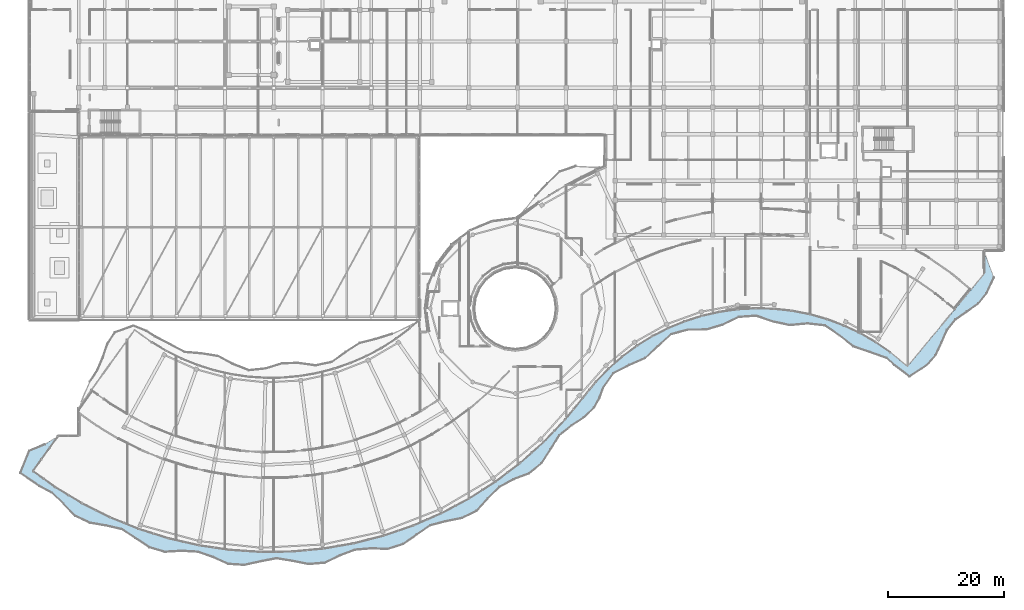
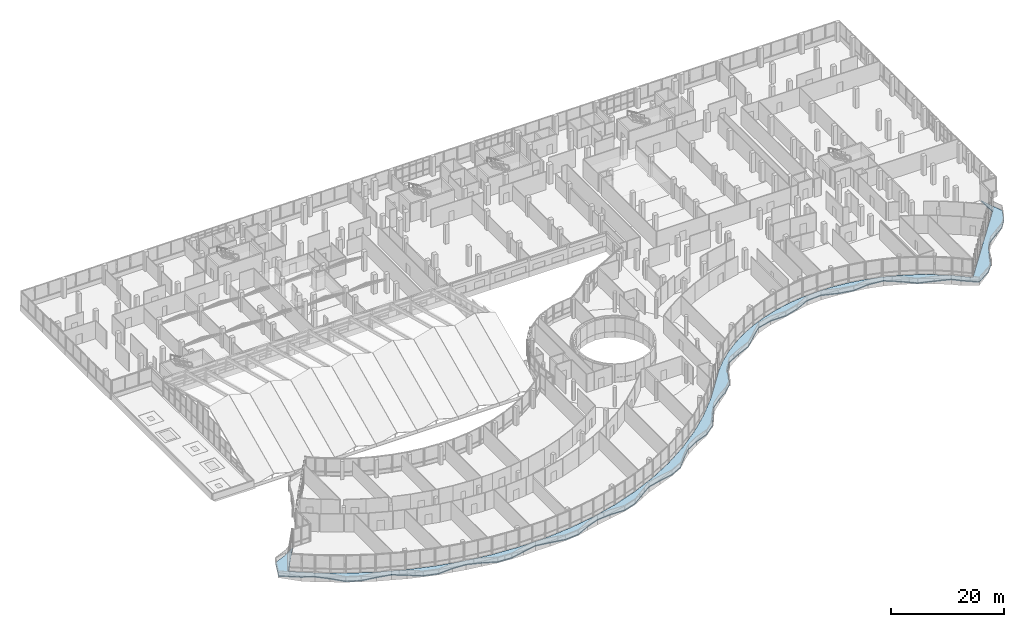
# One storey, part 146 of 184: 1 slab.
"""IFC4 building model written with IfcOpenShell, lengths in metres."""

import ifcopenshell
import ifcopenshell.guid

model = None  # the IFC model being written
_history = None  # IfcOwnerHistory: only IFC2X3 demands one
_inside = {}  # id of a spatial element -> (the spatial element, [elements in it])
_under = {}  # id of a project, library or spatial element -> (it, [spatial elements below it])
_declared = {}  # id of a project -> (the project, [libraries it declares])
_typed = {}  # id of a type object -> (the type object, [elements of that type])
_made_of = {}  # id of a material, layer set ... -> (it, [elements and type objects made of it])


def new_model(schema):
    """Start an empty IFC model of exactly this schema.

    Asked for "IFC4X3", IfcOpenShell would pick the latest addendum, in which some entities
    have other attributes; the version numbers below select the first issue.
    IFC2X3 requires an IfcOwnerHistory on every rooted entity: one is made here for all.
    """
    global model, _history
    if schema == "IFC4X3":
        model = ifcopenshell.file(schema_version=(4, 3, 0, 0))
    else:
        model = ifcopenshell.file(schema=schema)
    _inside.clear()
    _under.clear()
    _declared.clear()
    _typed.clear()
    _made_of.clear()
    _history = None
    if model.schema == "IFC2X3":
        org = make("IfcOrganization", Name="unknown")
        user = make(
            "IfcPersonAndOrganization",
            ThePerson=make("IfcPerson", FamilyName="unknown"),
            TheOrganization=org,
        )
        app = make(
            "IfcApplication",
            ApplicationDeveloper=org,
            Version="unknown",
            ApplicationFullName="unknown",
            ApplicationIdentifier="unknown",
        )
        _history = make(
            "IfcOwnerHistory",
            OwningUser=user,
            OwningApplication=app,
            ChangeAction="ADDED",
            CreationDate=0,
        )
    return model


def make(cls, **values):
    """One entity of the class cls with the attributes given. An attribute that is None is left unset."""
    return model.create_entity(
        cls, **{name: value for name, value in values.items() if value is not None}
    )


def rooted(cls, **values):
    """An entity with a GlobalId (a new one), such as an element, a storey or a relation."""
    return make(cls, GlobalId=ifcopenshell.guid.new(), OwnerHistory=_history, **values)


def si_unit(unit_type, name, prefix=None):
    """IfcSIUnit, for example si_unit("LENGTHUNIT", "METRE", prefix="MILLI")."""
    return make("IfcSIUnit", UnitType=unit_type, Prefix=prefix, Name=name)


def assignment(units):
    """IfcUnitAssignment: the units of a project."""
    return None if units is None else make("IfcUnitAssignment", Units=units)


def point(xyz):
    """IfcCartesianPoint."""
    return None if xyz is None else make("IfcCartesianPoint", Coordinates=xyz)


def direction(xyz):
    """IfcDirection."""
    return None if xyz is None else make("IfcDirection", DirectionRatios=xyz)


def frame(location, z_axis=None, x_axis=None):
    """IfcAxis2Placement3D, a coordinate frame: its origin and axes. An axis left out is left unset."""
    return make(
        "IfcAxis2Placement3D",
        Location=point(location),
        Axis=direction(z_axis),
        RefDirection=direction(x_axis),
    )


def origin():
    """The frame at (0, 0, 0) with its axes left unset."""
    return frame((0.0, 0.0, 0.0))


def place(relative_to, where):
    """IfcLocalPlacement: puts the frame where relative to a parent placement (None: the world)."""
    return make(
        "IfcLocalPlacement", PlacementRelTo=relative_to, RelativePlacement=where
    )


def context(
    kind, dimensions, precision=None, world=None, true_north=None, identifier=None
):
    """IfcGeometricRepresentationContext, for example the 3D "Model" context."""
    return make(
        "IfcGeometricRepresentationContext",
        ContextIdentifier=identifier,
        ContextType=kind,
        CoordinateSpaceDimension=dimensions,
        Precision=precision,
        WorldCoordinateSystem=world,
        TrueNorth=true_north,
    )


def subcontext(parent, identifier, kind, view, scale=None):
    """IfcGeometricRepresentationSubContext, for example "Body" below "Model"."""
    return make(
        "IfcGeometricRepresentationSubContext",
        ContextIdentifier=identifier,
        ContextType=kind,
        ParentContext=parent,
        TargetScale=scale,
        TargetView=view,
    )


def project(units=None, contexts=None):
    """IfcProject with its units and contexts."""
    return rooted(
        "IfcProject",
        Name="project",
        RepresentationContexts=contexts,
        UnitsInContext=assignment(units),
    )


def spatial(cls, under=None, at=None, **own):
    """A site, building, storey or space (cls), placed at a placement, below another one or the project."""
    s = rooted(cls, ObjectPlacement=at, **own)
    if under is not None:
        _under.setdefault(under.id(), (under, []))[1].append(s)
    return s


def polyline(points):
    """IfcPolyline through the points."""
    return make("IfcPolyline", Points=[point(p) for p in points])


def outline(outer, holes=None, kind="AREA"):
    """IfcArbitraryClosedProfileDef: a profile drawn as a closed curve; with holes, ...WithVoids."""
    if holes is None:
        return make("IfcArbitraryClosedProfileDef", ProfileType=kind, OuterCurve=outer)
    return make(
        "IfcArbitraryProfileDefWithVoids",
        ProfileType=kind,
        OuterCurve=outer,
        InnerCurves=holes,
    )


def extrude(swept, where, along, depth):
    """IfcExtrudedAreaSolid: the profile swept, set in the frame where, extruded along a direction by depth."""
    return make(
        "IfcExtrudedAreaSolid",
        SweptArea=swept,
        Position=where,
        ExtrudedDirection=direction(along),
        Depth=depth,
    )


def shape(context_of_items, identifier, shape_type, items):
    """IfcShapeRepresentation: the items that make up one representation, for example the "Body"."""
    return make(
        "IfcShapeRepresentation",
        ContextOfItems=context_of_items,
        RepresentationIdentifier=identifier,
        RepresentationType=shape_type,
        Items=items,
    )


def material(Name=None, Category=None):
    """IfcMaterial."""
    return make("IfcMaterial", Name=Name, Category=Category)


def layer(
    of_material, thickness, ventilated=None, Name=None, Category=None, Priority=None
):
    """IfcMaterialLayer: one layer of a wall or slab, of a material (None: an air gap)."""
    return make(
        "IfcMaterialLayer",
        Material=of_material,
        LayerThickness=thickness,
        IsVentilated=ventilated,
        Name=Name,
        Category=Category,
        Priority=Priority,
    )


def layer_set(layers, Name=None):
    """IfcMaterialLayerSet."""
    return make("IfcMaterialLayerSet", MaterialLayers=layers, LayerSetName=Name)


def made_of(thing, what):
    """Note that an element or type object is made of a material, layer set ...; save() writes the relation."""
    if what is not None:
        _made_of.setdefault(what.id(), (what, []))[1].append(thing)
    return thing


def type_object(cls, material=None, **own):
    """A type object (cls), such as IfcWallType, which elements share."""
    return made_of(rooted(cls, **own), material)


def element(
    cls,
    number,
    at=None,
    inside=None,
    cuts=None,
    type_object=None,
    material=None,
    context=None,
    identifier="Body",
    shape_type=None,
    held_by="IfcProductDefinitionShape",
    body=None,
    shapes=None,
    **own,
):
    """One element of the class cls, such as IfcWall. Its Tag is "e" and its number.

    at: its placement. inside: the storey or other place that contains it. cuts: it is an
    opening in that element (IfcRelVoidsElement). A single representation is given by context,
    identifier, shape_type and body (its items); several are given by shapes. held_by: the class
    of the entity that holds the representations. save() writes the other relations.
    """
    e = rooted(cls, Tag="e%d" % number, ObjectPlacement=at, **own)
    if body is not None:
        shapes = [shape(context, identifier, shape_type, body)]
    if shapes is not None:
        e.Representation = make(held_by, Representations=shapes)
    if inside is not None:
        _inside.setdefault(inside.id(), (inside, []))[1].append(e)
    if cuts is not None:
        rooted(
            "IfcRelVoidsElement", RelatingBuildingElement=cuts, RelatedOpeningElement=e
        )
    if type_object is not None:
        _typed.setdefault(type_object.id(), (type_object, []))[1].append(e)
    return made_of(e, material)


def aggregate(whole, parts):
    """IfcRelAggregates: a whole, such as a stair, and the parts it consists of."""
    return rooted("IfcRelAggregates", RelatingObject=whole, RelatedObjects=parts)


def save(model, path):
    """Write the relations noted so far, then the file.

    IfcRelAggregates (storeys below a building ...), IfcRelContainedInSpatialStructure (elements
    in a storey), IfcRelDefinesByType, IfcRelAssociatesMaterial and IfcRelDeclares: one each for
    every whole, place, type object, material and project.
    """
    for whole, parts in _under.values():
        aggregate(whole, parts)
    for where, things in _inside.values():
        rooted(
            "IfcRelContainedInSpatialStructure",
            RelatedElements=things,
            RelatingStructure=where,
        )
    for kind, things in _typed.values():
        rooted("IfcRelDefinesByType", RelatedObjects=things, RelatingType=kind)
    for what, things in _made_of.values():
        rooted("IfcRelAssociatesMaterial", RelatedObjects=things, RelatingMaterial=what)
    for by, libraries in _declared.values():
        rooted("IfcRelDeclares", RelatingContext=by, RelatedDefinitions=libraries)
    model.write(path)


model = new_model("IFC4")

# Units and contexts
model_context = context("Model", 3, precision=1e-05, world=origin(), true_north=direction((0.0, 1.0)))
body_context = subcontext(model_context, "Body", "Model", "MODEL_VIEW")
ifc_project = project(units=[si_unit("LENGTHUNIT", "METRE"), si_unit("AREAUNIT", "SQUARE_METRE"), si_unit("VOLUMEUNIT", "CUBIC_METRE"), si_unit("PLANEANGLEUNIT", "RADIAN"), si_unit("MASSUNIT", "GRAM", prefix="KILO")], contexts=[model_context])

# Site, building, storey
site_placement = place(None, origin())
site = spatial("IfcSite", under=ifc_project, at=site_placement, CompositionType="ELEMENT")
building_placement = place(site_placement, origin())
building = spatial("IfcBuilding", under=site, at=building_placement, Name="Selatvlak General Hospital", CompositionType="ELEMENT")
storey_placement = place(building_placement, frame((0.0, 0.0, 15.0)))
storey = spatial("IfcBuildingStorey", under=building, at=storey_placement, Name="L03", CompositionType="ELEMENT", Elevation=15.0)

# Slab
ifc_material = material(Name="Concrete C40/50", Category="concrete")
ifc_layer = layer(ifc_material, 0.215087890625, Name="Concrete C40/50", Category="concrete")
ifc_layer_set = layer_set([ifc_layer], Name="Concrete C40/50")
slab_type = type_object("IfcSlabType", Name="SLAB-SL-BL3", PredefinedType="FLOOR", material=ifc_layer_set)
slab_placement = place(storey_placement, frame((0.0, 0.0, -0.215087890625)))
element("IfcSlab", 1, at=slab_placement, inside=storey, type_object=slab_type, Name="L03 S-curve sunshade balcony 1", PredefinedType="FLOOR", context=body_context, shape_type="SweptSolid", body=[
    extrude(outline(polyline([(177.77392578125, 54.80908203125), (175.821044921875, 53.431884765625), (173.85791015625, 52.06298828125), (172.40087890625, 50.27587890625), (171.43505859375, 48.08203125), (170.431884765625, 45.91796875), (168.903076171875, 44.18994140625), (165.905029296875, 42.248046875), (163.333984375, 44.205078125), (161.9990234375, 45.419921875), (159.076904296875, 46.4580078125), (156.25390625, 47.4189453125), (153.89697265625, 49.283935546875), (151.365966796875, 51.037109375), (148.35107421875, 51.3798828125), (145.297119140625, 51.091064453125), (142.427978515625, 51.69189453125), (139.487060546875, 52.7109375), (136.4951171875, 52.492919921875), (133.69091796875, 51.14111328125), (130.885986328125, 50.323974609375), (127.806884765625, 50.305908203125), (124.87890625, 49.5439453125), (122.5849609375, 47.469970703125), (120.4150390625, 45.424072265625), (117.66796875, 44.216064453125), (114.9208984375, 42.821044921875), (113.1630859375, 40.327880859375), (112.52294921875, 38.56298828125), (111.60888671875, 36.90087890625), (109.8759765625, 35.239990234375), (107.7451171875, 33.8310546875), (105.58203125, 32.111083984375), (104.10888671875, 29.7109375), (102.55810546875, 27.31591796875), (100.406005859375, 25.55810546875), (97.694091796875, 24.537109375), (95.27392578125, 23.2109375), (93.282958984375, 21.258056640625), (91.35302734375, 19.114013671875), (88.860107421875, 17.8798828125), (86.052001953125, 17.31396484375), (83.361083984375, 16.614990234375), (81.055908203125, 15.01708984375), (78.7080078125, 13.384033203125), (76.06005859375, 12.533935546875), (73.16796875, 12.6298828125), (70.412109375, 12.40087890625), (67.81396484375, 11.419921875), (65.2099609375, 10.1650390625), (62.43896484375, 9.927001953125), (59.6279296875, 10.47607421875), (56.8740234375, 10.928955078125), (54.132080078125, 10.39990234375), (51.3369140625, 9.781005859375), (48.56298828125, 9.95703125), (45.927978515625, 11.14599609375), (43.303955078125, 12.053955078125), (40.5390625, 12.2080078125), (37.64892578125, 12.041015625), (34.985107421875, 12.8310546875), (32.59912109375, 14.406005859375), (30.2529296875, 15.93798828125), (27.54296875, 16.56201171875), (24.720947265625, 17.056884765625), (22.199951171875, 18.235107421875), (20.216064453125, 20.33203125), (18.177001953125, 22.22705078125), (16.009033203125, 23.3759765625), (12.722900390625, 25.635986328125), (14.287109375, 29.466064453125), (16.97509765625, 30.591064453125), (19.138916015625, 31.919921875), (19.2060546875, 31.919921875), (14.9150390625, 25.955078125), (18.7958984375, 23.172119140625), (23.389892578125, 20.39404296875), (28.18896484375, 17.990966796875), (33.1630859375, 15.97509765625), (38.280029296875, 14.362060546875), (43.511962890625, 13.159912109375), (48.821044921875, 12.3779296875), (54.176025390625, 12.02001953125), (59.54296875, 12.087890625), (64.887939453125, 12.5830078125), (70.176025390625, 13.5009765625), (75.37109375, 14.833984375), (80.449951171875, 16.576904296875), (85.3720703125, 18.719970703125), (90.10498046875, 21.2451171875), (94.626953125, 24.137939453125), (98.903076171875, 27.383056640625), (102.906982421875, 30.9541015625), (106.615966796875, 34.8349609375), (109.6279296875, 38.51611328125), (111.972900390625, 41.406005859375), (114.135009765625, 43.64501953125), (116.47509765625, 45.696044921875), (118.97705078125, 47.547119140625), (121.6220703125, 49.18310546875), (124.39794921875, 50.593994140625), (127.279052734375, 51.77099609375), (130.2451171875, 52.7041015625), (133.281982421875, 53.387939453125), (136.364990234375, 53.819091796875), (139.468994140625, 53.990966796875), (142.5810546875, 53.906005859375), (145.675048828125, 53.56298828125), (148.72998046875, 52.965087890625), (151.720947265625, 52.115966796875), (154.633056640625, 51.02099609375), (157.447021484375, 49.68896484375), (160.138916015625, 48.126953125), (162.69189453125, 46.34912109375), (165.55908203125, 43.9580078125), (178.803955078125, 59.945068359375), (178.804931640625, 63.919921875), (179.427001953125, 61.97412109375), (180.462890625, 59.304931640625), (179.214111328125, 56.611083984375), (177.77392578125, 54.80908203125)])), origin(), (0.0, 0.0, 1.0), 0.215087890625),
])

save(model, "model.ifc")
